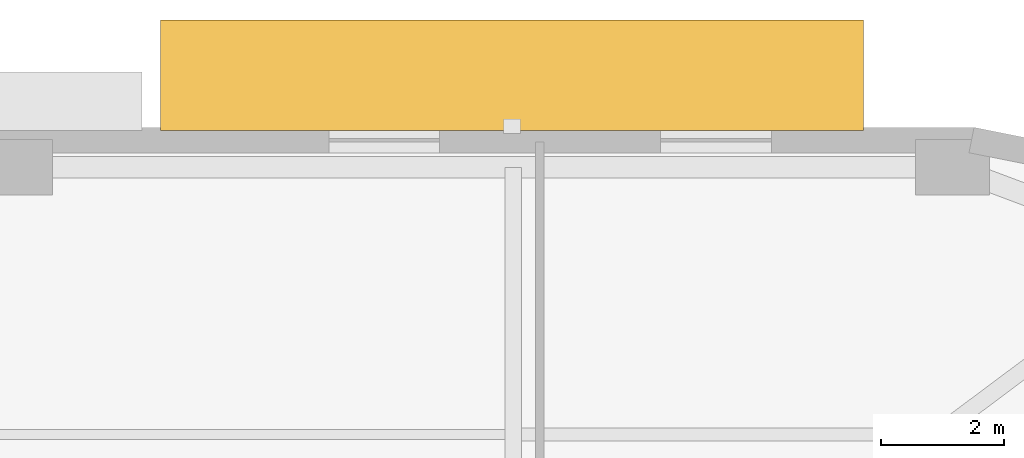
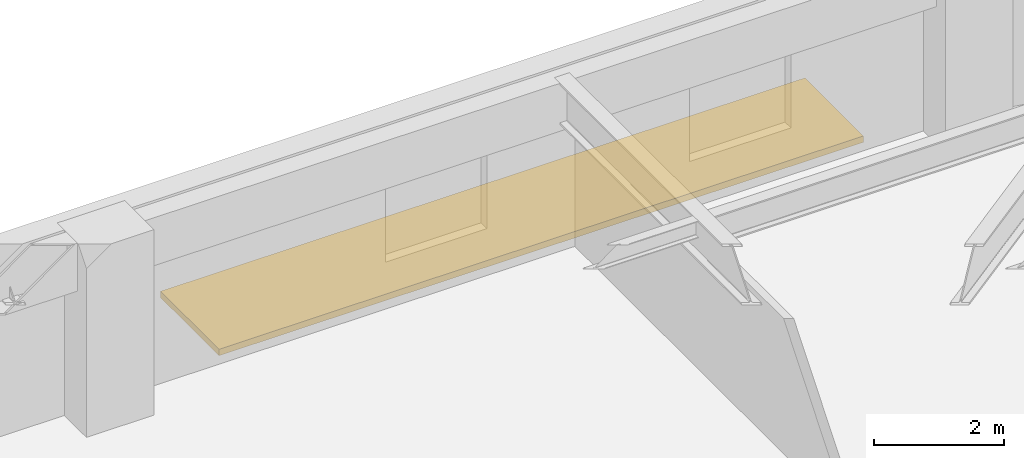
# One storey, part 15 of 15: 1 shading device.
"""IFC4 building model written with IfcOpenShell, lengths in metres."""

from ifc_helpers import new_model, si_unit, direction, frame, origin, origin_2d, place, context, subcontext, project, spatial, rectangle, extrude, material, type_object, element, save


model = new_model("IFC4")

# Units and contexts
model_context = context("Model", 3, precision=1e-05, world=origin(), true_north=direction((0.0, 1.0)))
body_context = subcontext(model_context, "Body", "Model", "MODEL_VIEW")
ifc_project = project(units=[si_unit("LENGTHUNIT", "METRE"), si_unit("AREAUNIT", "SQUARE_METRE"), si_unit("VOLUMEUNIT", "CUBIC_METRE"), si_unit("PLANEANGLEUNIT", "RADIAN"), si_unit("MASSUNIT", "GRAM", prefix="KILO")], contexts=[model_context])

# Site, building, storey
site_placement = place(None, origin())
site = spatial("IfcSite", under=ifc_project, at=site_placement, CompositionType="ELEMENT")
building_placement = place(site_placement, origin())
building = spatial("IfcBuilding", under=site, at=building_placement, Name="Kolvaren Arena Tower", CompositionType="ELEMENT")
storey_placement = place(building_placement, frame((0.0, 0.0, 42.0)))
storey = spatial("IfcBuildingStorey", under=building, at=storey_placement, Name="L07", CompositionType="ELEMENT", Elevation=42.0)

# Shading device
ifc_material = material(Name="Architectural precast GFRC and anodised aluminium sunshade", Category="concrete")
shading_device_type = type_object("IfcShadingDeviceType", Name="SHAD-SINE-B", PredefinedType="JALOUSIE", material=ifc_material)
shading_device_placement = place(storey_placement, frame((60.330078125, 50.34912109375, -0.14013671875), z_axis=(0.0, 0.0, 1.0), x_axis=(1.0, 0.0, 0.0)))
element("IfcShadingDevice", 1, at=shading_device_placement, inside=storey, type_object=shading_device_type, Name="Sinusoidal Slab-Edge Sunshade Louvre (L07)", PredefinedType="JALOUSIE", context=body_context, shape_type="SweptSolid", body=[
    extrude(rectangle(XDim=11.43994140625, YDim=1.798095703125, at=origin_2d()), origin(), (0.0, 0.0, 1.0), 0.1201171875),
])

save(model, "model.ifc")
